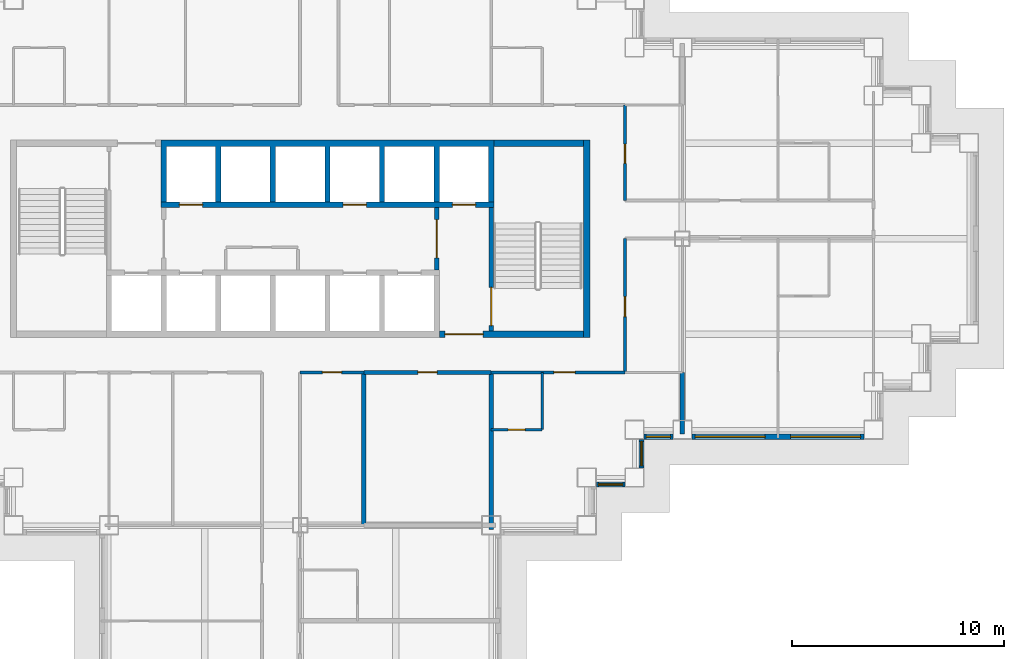
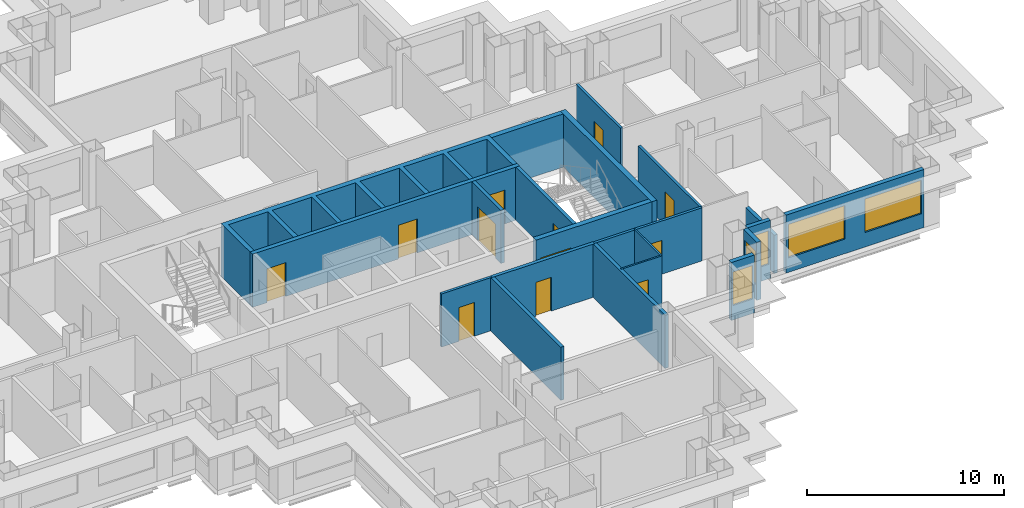
# One storey, part 6 of 15: 21 walls, 12 doors, 5 windows, 17 openings.
"""IFC4 building model written with IfcOpenShell, lengths in metres."""

from ifc_helpers import new_model, si_unit, direction, frame, frame_2d, origin, place, context, subcontext, project, spatial, polyline, rectangle, outline, extrude, material, layer, layer_set, type_object, element, fill, save


model = new_model("IFC4")

# Units and contexts
model_context = context("Model", 3, precision=1e-05, world=origin(), true_north=direction((0.0, 1.0)))
body_context = subcontext(model_context, "Body", "Model", "MODEL_VIEW")
ifc_project = project(units=[si_unit("LENGTHUNIT", "METRE"), si_unit("AREAUNIT", "SQUARE_METRE"), si_unit("VOLUMEUNIT", "CUBIC_METRE"), si_unit("PLANEANGLEUNIT", "RADIAN"), si_unit("MASSUNIT", "GRAM", prefix="KILO")], contexts=[model_context])

# Site, building, storey
site_placement = place(None, origin())
site = spatial("IfcSite", under=ifc_project, at=site_placement, CompositionType="ELEMENT")
building_placement = place(site_placement, origin())
building = spatial("IfcBuilding", under=site, at=building_placement, Name="Caravel Reach Hotel and Residences", CompositionType="ELEMENT")
storey_placement = place(building_placement, frame((0.0, 0.0, 108.0)))
storey = spatial("IfcBuildingStorey", under=building, at=storey_placement, Name="L26", CompositionType="ELEMENT", Elevation=108.0)

# Wall, opening, door
ifc_material_1 = material(Name="Gypsum board on steel stud", Category="steel")
ifc_layer_1 = layer(ifc_material_1, 0.10009765625)
ifc_layer_set_1 = layer_set([ifc_layer_1], Name="Bathroom pod wall 100 mm")
wall_type_1 = type_object("IfcWallType", Name="Bathroom pod wall 100 mm", PredefinedType="PARTITIONING", material=ifc_layer_set_1)
wall_1_placement = place(storey_placement, frame((40.5, 18.0, 0.0), z_axis=(0.0, 0.0, 1.0), x_axis=(1.0, 0.0, 0.0)))
wall_1 = element("IfcWall", 1, at=wall_1_placement, inside=storey, type_object=wall_type_1, Name="L26 wall w084", PredefinedType="PARTITIONING", context=body_context, shape_type="SweptSolid", body=[
    extrude(rectangle(XDim=2.39990234375, YDim=0.10009765625, at=frame_2d((1.199951171875, 0.0))), origin(), (0.0, 0.0, 1.0), 3.300048828125),
])
opening_1_placement = place(wall_1_placement, frame((0.800048828125, 0.0, 0.0)))
opening_1 = element("IfcOpeningElement", 2, at=opening_1_placement, cuts=wall_1, Name="Opening D26-052", PredefinedType="OPENING", context=body_context, shape_type="SweptSolid", body=[
    extrude(rectangle(XDim=0.800048828125, YDim=2.10009765625, at=frame_2d((0.39990234375, 1.050048828125))), frame((0.0, 0.06005859375, 0.0), z_axis=(0.0, -1.0, 0.0), x_axis=(1.0, 0.0, 0.0)), (0.0, 0.0, 1.0), 0.1201171875),
])
ifc_material_2 = material(Name="Timber and steel door leaf", Category="steel")
door_type_1 = type_object("IfcDoorType", Name="Bathroom door 800 x 2100", OperationType="SINGLE_SWING_LEFT", PredefinedType="DOOR", material=ifc_material_2)
door_1_placement = place(opening_1_placement, origin())
door_1 = element("IfcDoor", 3, at=door_1_placement, inside=storey, type_object=door_type_1, Name="door D26-052", OperationType="SINGLE_SWING_LEFT", OverallHeight=2.10009765625, OverallWidth=0.800048828125, PredefinedType="DOOR", context=body_context, shape_type="SweptSolid", body=[
    extrude(rectangle(XDim=0.800048828125, YDim=2.10009765625, at=frame_2d((0.39990234375, 1.050048828125))), frame((0.0, 0.02490234375, 0.0), z_axis=(0.0, -1.0, 0.0), x_axis=(1.0, 0.0, 0.0)), (0.0, 0.0, 1.0), 0.050048828125),
])
fill(opening_1, door_1)

# Wall
wall_2_placement = place(storey_placement, frame((42.89990234375, 18.0, 0.0), z_axis=(0.0, 0.0, 1.0), x_axis=(0.0, 1.0, 0.0)))
element("IfcWall", 4, at=wall_2_placement, inside=storey, type_object=wall_type_1, Name="L26 wall w112", PredefinedType="PARTITIONING", context=body_context, shape_type="SweptSolid", body=[
    extrude(rectangle(XDim=2.699951171875, YDim=0.10009765625, at=frame_2d((1.35009765625, 0.0))), origin(), (0.0, 0.0, 1.0), 3.300048828125),
])

# Wall, opening, door
ifc_material_3 = material(Name="Autoclaved aerated block wall")
ifc_layer_2 = layer(ifc_material_3, 0.199951171875)
ifc_layer_set_2 = layer_set([ifc_layer_2], Name="Compartment wall 200 mm EI 120")
wall_type_2 = type_object("IfcWallType", Name="Compartment wall 200 mm EI 120", PredefinedType="PARTITIONING", material=ifc_layer_set_2)
wall_3_placement = place(storey_placement, frame((34.5, 20.699951171875, 0.0), z_axis=(0.0, 0.0, 1.0), x_axis=(1.0, 0.0, 0.0)))
wall_3 = element("IfcWall", 5, at=wall_3_placement, inside=storey, type_object=wall_type_2, Name="L26 wall w118", PredefinedType="PARTITIONING", context=body_context, shape_type="SweptSolid", body=[
    extrude(rectangle(XDim=6.0, YDim=0.199951171875, at=frame_2d((3.0, 0.0))), origin(), (0.0, 0.0, 1.0), 3.300048828125),
])
opening_2_placement = place(wall_3_placement, frame((2.550048828125, 0.0, 0.0)))
opening_2 = element("IfcOpeningElement", 6, at=opening_2_placement, cuts=wall_3, Name="Opening D26-060", PredefinedType="OPENING", context=body_context, shape_type="SweptSolid", body=[
    extrude(rectangle(XDim=0.89990234375, YDim=2.10009765625, at=frame_2d((0.449951171875, 1.050048828125))), frame((0.0, 0.10986328125, 0.0), z_axis=(0.0, -1.0, 0.0), x_axis=(1.0, 0.0, 0.0)), (0.0, 0.0, 1.0), 0.219970703125),
])
ifc_material_4 = material(Name="Steel fire door leaf", Category="steel")
door_type_2 = type_object("IfcDoorType", Name="Riser door 900 x 2100 EI 60", OperationType="SINGLE_SWING_LEFT", PredefinedType="DOOR", material=ifc_material_4)
door_2_placement = place(opening_2_placement, origin())
door_2 = element("IfcDoor", 7, at=door_2_placement, inside=storey, type_object=door_type_2, Name="door D26-060", OperationType="SINGLE_SWING_LEFT", OverallHeight=2.10009765625, OverallWidth=0.89990234375, PredefinedType="DOOR", context=body_context, shape_type="SweptSolid", body=[
    extrude(rectangle(XDim=0.89990234375, YDim=2.10009765625, at=frame_2d((0.449951171875, 1.050048828125))), frame((0.0, 0.02490234375, 0.0), z_axis=(0.0, -1.0, 0.0), x_axis=(1.0, 0.0, 0.0)), (0.0, 0.0, 1.0), 0.050048828125),
])
fill(opening_2, door_2)

# Walls
wall_4_placement = place(storey_placement, frame((34.5, 13.5, 0.0), z_axis=(0.0, 0.0, 1.0), x_axis=(0.0, 1.0, 0.0)))
element("IfcWall", 8, at=wall_4_placement, inside=storey, type_object=wall_type_2, Name="L26 wall w119", PredefinedType="PARTITIONING", context=body_context, shape_type="SweptSolid", body=[
    extrude(rectangle(XDim=7.199951171875, YDim=0.199951171875, at=frame_2d((3.60009765625, 0.0))), origin(), (0.0, 0.0, 1.0), 3.300048828125),
])
wall_5_placement = place(storey_placement, frame((40.5, 13.31005859375, 0.0), z_axis=(0.0, 0.0, 1.0), x_axis=(0.0, 1.0, 0.0)))
element("IfcWall", 9, at=wall_5_placement, inside=storey, type_object=wall_type_2, Name="L26 wall w120", PredefinedType="PARTITIONING", context=body_context, shape_type="SweptSolid", body=[
    extrude(rectangle(XDim=7.389892578125, YDim=0.199951171875, at=frame_2d((3.69482421875, 0.0))), origin(), (0.0, 0.0, 1.0), 3.300048828125),
])

# Wall, opening, door
ifc_material_5 = material(Name="Concrete C60", Category="concrete")
ifc_layer_3 = layer(ifc_material_5, 0.300048828125)
ifc_layer_set_3 = layer_set([ifc_layer_3], Name="Core wall 300 mm EI 120")
wall_type_3 = type_object("IfcWallType", Name="Core wall 300 mm EI 120", PredefinedType="SHEAR", material=ifc_layer_set_3)
wall_6_placement = place(storey_placement, frame((38.053466796875, 22.5, 0.0), z_axis=(0.0, 0.0, 1.0), x_axis=(1.0, 0.0, 0.0)))
wall_6 = element("IfcWall", 10, at=wall_6_placement, inside=storey, type_object=wall_type_3, Name="L26 core wall S2", PredefinedType="SHEAR", context=body_context, shape_type="SweptSolid", body=[
    extrude(rectangle(XDim=6.796630859375, YDim=0.300048828125, at=frame_2d((3.3984375, 0.0))), origin(), (0.0, 0.0, 1.0), 3.300048828125),
])
opening_3_placement = place(wall_6_placement, frame((0.2607421875, 0.0, 0.0)))
opening_3 = element("IfcOpeningElement", 11, at=opening_3_placement, cuts=wall_6, Name="Opening D26-014", PredefinedType="OPENING", context=body_context, shape_type="SweptSolid", body=[
    extrude(rectangle(XDim=1.800048828125, YDim=2.10009765625, at=frame_2d((0.89990234375, 1.050048828125))), frame((0.0, 0.159912109375, 0.0), z_axis=(0.0, -1.0, 0.0), x_axis=(1.0, 0.0, 0.0)), (0.0, 0.0, 1.0), 0.320068359375),
])
ifc_material_6 = material(Name="Steel fire door leaf", Category="steel")
door_type_3 = type_object("IfcDoorType", Name="Fire lobby door pair 1800 x 2100 EI 90", OperationType="DOUBLE_DOOR_SINGLE_SWING", PredefinedType="DOOR", material=ifc_material_6)
door_3_placement = place(opening_3_placement, origin())
door_3 = element("IfcDoor", 12, at=door_3_placement, inside=storey, type_object=door_type_3, Name="lobby S door pair to corridor", OperationType="DOUBLE_DOOR_SINGLE_SWING", OverallHeight=2.10009765625, OverallWidth=1.800048828125, PredefinedType="DOOR", context=body_context, shape_type="SweptSolid", body=[
    extrude(rectangle(XDim=1.800048828125, YDim=2.10009765625, at=frame_2d((0.89990234375, 1.050048828125))), frame((0.0, 0.02490234375, 0.0), z_axis=(0.0, -1.0, 0.0), x_axis=(1.0, 0.0, 0.0)), (0.0, 0.0, 1.0), 0.050048828125),
])
fill(opening_3, door_3)

# Walls
wall_7_placement = place(storey_placement, frame((40.625, 31.5, 0.0), z_axis=(0.0, 0.0, 1.0), x_axis=(1.0, 0.0, 0.0)))
element("IfcWall", 13, at=wall_7_placement, inside=storey, type_object=wall_type_3, Name="L26 core wall N2", PredefinedType="SHEAR", context=body_context, shape_type="SweptSolid", body=[
    extrude(rectangle(XDim=4.22509765625, YDim=0.300048828125, at=frame_2d((2.112548828125, 0.0))), origin(), (0.0, 0.0, 1.0), 3.300048828125),
])
wall_8_placement = place(storey_placement, frame((45.0, 22.35009765625, 0.0), z_axis=(0.0, 0.0, 1.0), x_axis=(0.0, 1.0, 0.0)))
element("IfcWall", 14, at=wall_8_placement, inside=storey, type_object=wall_type_3, Name="L26 core wall E", PredefinedType="SHEAR", context=body_context, shape_type="SweptSolid", body=[
    extrude(rectangle(XDim=9.2998046875, YDim=0.300048828125, at=frame_2d((4.64990234375, 0.0))), origin(), (0.0, 0.0, 1.0), 3.300048828125),
])

# Wall, opening, door
ifc_material_7 = material(Name="Gypsum board on steel stud, fire-rated", Category="steel")
ifc_layer_4 = layer(ifc_material_7, 0.14990234375)
ifc_layer_set_4 = layer_set([ifc_layer_4], Name="Corridor wall 150 mm EI 60")
wall_type_4 = type_object("IfcWallType", Name="Corridor wall 150 mm EI 60", PredefinedType="PARTITIONING", material=ifc_layer_set_4)
wall_9_placement = place(storey_placement, frame((40.5, 20.699951171875, 0.0), z_axis=(0.0, 0.0, 1.0), x_axis=(1.0, 0.0, 0.0)))
wall_9 = element("IfcWall", 15, at=wall_9_placement, inside=storey, type_object=wall_type_4, Name="L26 wall w002", PredefinedType="PARTITIONING", context=body_context, shape_type="SweptSolid", body=[
    extrude(rectangle(XDim=6.300048828125, YDim=0.14990234375, at=frame_2d((3.14990234375, 0.0))), origin(), (0.0, 0.0, 1.0), 3.300048828125),
])
opening_4_placement = place(wall_9_placement, frame((2.949951171875, 0.0, 0.0)))
opening_4 = element("IfcOpeningElement", 16, at=opening_4_placement, cuts=wall_9, Name="Opening D26-051", PredefinedType="OPENING", context=body_context, shape_type="SweptSolid", body=[
    extrude(rectangle(XDim=1.0, YDim=2.10009765625, at=frame_2d((0.5, 1.050048828125))), frame((0.0, 0.0849609375, 0.0), z_axis=(0.0, -1.0, 0.0), x_axis=(1.0, 0.0, 0.0)), (0.0, 0.0, 1.0), 0.169921875),
])
ifc_material_8 = material(Name="Steel fire door leaf", Category="steel")
door_type_4 = type_object("IfcDoorType", Name="Guest room door 1000 x 2100 EI 30", OperationType="SINGLE_SWING_LEFT", PredefinedType="DOOR", material=ifc_material_8)
door_4_placement = place(opening_4_placement, origin())
door_4 = element("IfcDoor", 17, at=door_4_placement, inside=storey, type_object=door_type_4, Name="door D26-051", OperationType="SINGLE_SWING_RIGHT", OverallHeight=2.10009765625, OverallWidth=1.0, PredefinedType="DOOR", context=body_context, shape_type="SweptSolid", body=[
    extrude(rectangle(XDim=1.0, YDim=2.10009765625, at=frame_2d((0.5, 1.050048828125))), frame((0.0, 0.02490234375, 0.0), z_axis=(0.0, -1.0, 0.0), x_axis=(1.0, 0.0, 0.0)), (0.0, 0.0, 1.0), 0.050048828125),
])
fill(opening_4, door_4)

wall_10_placement = place(storey_placement, frame((31.5, 20.699951171875, 0.0), z_axis=(0.0, 0.0, 1.0), x_axis=(1.0, 0.0, 0.0)))
wall_10 = element("IfcWall", 18, at=wall_10_placement, inside=storey, type_object=wall_type_4, Name="L26 wall w005", PredefinedType="PARTITIONING", context=body_context, shape_type="SweptSolid", body=[
    extrude(rectangle(XDim=3.0, YDim=0.14990234375, at=frame_2d((1.5, 0.0))), origin(), (0.0, 0.0, 1.0), 3.300048828125),
])
opening_5_placement = place(wall_10_placement, frame((1.050048828125, 0.0, 0.0)))
opening_5 = element("IfcOpeningElement", 19, at=opening_5_placement, cuts=wall_10, Name="Opening D26-059", PredefinedType="OPENING", context=body_context, shape_type="SweptSolid", body=[
    extrude(rectangle(XDim=0.89990234375, YDim=2.10009765625, at=frame_2d((0.449951171875, 1.050048828125))), frame((0.0, 0.0849609375, 0.0), z_axis=(0.0, -1.0, 0.0), x_axis=(1.0, 0.0, 0.0)), (0.0, 0.0, 1.0), 0.169921875),
])
ifc_material_9 = material(Name="Timber and steel door leaf", Category="steel")
door_type_5 = type_object("IfcDoorType", Name="Door 900 x 2100 timber", OperationType="SINGLE_SWING_LEFT", PredefinedType="DOOR", material=ifc_material_9)
door_5_placement = place(opening_5_placement, origin())
door_5 = element("IfcDoor", 20, at=door_5_placement, inside=storey, type_object=door_type_5, Name="door D26-059", OperationType="SINGLE_SWING_LEFT", OverallHeight=2.10009765625, OverallWidth=0.89990234375, PredefinedType="DOOR", context=body_context, shape_type="SweptSolid", body=[
    extrude(rectangle(XDim=0.89990234375, YDim=2.10009765625, at=frame_2d((0.449951171875, 1.050048828125))), frame((0.0, 0.02490234375, 0.0), z_axis=(0.0, -1.0, 0.0), x_axis=(1.0, 0.0, 0.0)), (0.0, 0.0, 1.0), 0.050048828125),
])
fill(opening_5, door_5)

wall_11_placement = place(storey_placement, frame((46.800048828125, 28.800048828125, 0.0), z_axis=(0.0, 0.0, 1.0), x_axis=(0.0, 1.0, 0.0)))
wall_11 = element("IfcWall", 21, at=wall_11_placement, inside=storey, type_object=wall_type_4, Name="L26 wall w039", PredefinedType="PARTITIONING", context=body_context, shape_type="SweptSolid", body=[
    extrude(rectangle(XDim=4.5, YDim=0.14990234375, at=frame_2d((2.25, 0.0))), origin(), (0.0, 0.0, 1.0), 3.300048828125),
])
opening_6_placement = place(wall_11_placement, frame((1.75, 0.0, 0.0)))
opening_6 = element("IfcOpeningElement", 22, at=opening_6_placement, cuts=wall_11, Name="Opening D26-064", PredefinedType="OPENING", context=body_context, shape_type="SweptSolid", body=[
    extrude(rectangle(XDim=0.89990234375, YDim=2.10009765625, at=frame_2d((0.449951171875, 1.050048828125))), frame((0.0, 0.0849609375, 0.0), z_axis=(0.0, -1.0, 0.0), x_axis=(1.0, 0.0, 0.0)), (0.0, 0.0, 1.0), 0.169921875),
])
door_6_placement = place(opening_6_placement, origin())
door_6 = element("IfcDoor", 23, at=door_6_placement, inside=storey, type_object=door_type_5, Name="door D26-064", OperationType="SINGLE_SWING_LEFT", OverallHeight=2.10009765625, OverallWidth=0.89990234375, PredefinedType="DOOR", context=body_context, shape_type="SweptSolid", body=[
    extrude(rectangle(XDim=0.89990234375, YDim=2.10009765625, at=frame_2d((0.449951171875, 1.050048828125))), frame((0.0, 0.02490234375, 0.0), z_axis=(0.0, -1.0, 0.0), x_axis=(1.0, 0.0, 0.0)), (0.0, 0.0, 1.0), 0.050048828125),
])
fill(opening_6, door_6)

wall_12_placement = place(storey_placement, frame((46.800048828125, 20.699951171875, 0.0), z_axis=(0.0, 0.0, 1.0), x_axis=(0.0, 1.0, 0.0)))
wall_12 = element("IfcWall", 24, at=wall_12_placement, inside=storey, type_object=wall_type_4, Name="L26 wall w040", PredefinedType="PARTITIONING", context=body_context, shape_type="SweptSolid", body=[
    extrude(rectangle(XDim=6.300048828125, YDim=0.14990234375, at=frame_2d((3.14990234375, 0.0))), origin(), (0.0, 0.0, 1.0), 3.300048828125),
])
opening_7_placement = place(wall_12_placement, frame((2.625, 0.0, 0.0)))
opening_7 = element("IfcOpeningElement", 25, at=opening_7_placement, cuts=wall_12, Name="Opening D26-063", PredefinedType="OPENING", context=body_context, shape_type="SweptSolid", body=[
    extrude(rectangle(XDim=0.949951171875, YDim=2.10009765625, at=frame_2d((0.47509765625, 1.050048828125))), frame((0.0, 0.0849609375, 0.0), z_axis=(0.0, -1.0, 0.0), x_axis=(1.0, 0.0, 0.0)), (0.0, 0.0, 1.0), 0.169921875),
])
ifc_material_10 = material(Name="Timber and steel door leaf", Category="steel")
door_type_6 = type_object("IfcDoorType", Name="Accessible WC door 950 x 2100", OperationType="SINGLE_SWING_LEFT", PredefinedType="DOOR", material=ifc_material_10)
door_7_placement = place(opening_7_placement, origin())
door_7 = element("IfcDoor", 26, at=door_7_placement, inside=storey, type_object=door_type_6, Name="door D26-063", OperationType="SINGLE_SWING_LEFT", OverallHeight=2.10009765625, OverallWidth=0.949951171875, PredefinedType="DOOR", context=body_context, shape_type="SweptSolid", body=[
    extrude(rectangle(XDim=0.949951171875, YDim=2.10009765625, at=frame_2d((0.47509765625, 1.050048828125))), frame((0.0, 0.02490234375, 0.0), z_axis=(0.0, -1.0, 0.0), x_axis=(1.0, 0.0, 0.0)), (0.0, 0.0, 1.0), 0.050048828125),
])
fill(opening_7, door_7)

# Wall, opening, window
ifc_material_11 = material(Name="Insulated rainscreen wall, aluminium cladding", Category="aluminium")
ifc_layer_5 = layer(ifc_material_11, 0.25)
ifc_layer_set_5 = layer_set([ifc_layer_5], Name="EW1 Tower rainscreen wall")
wall_type_5 = type_object("IfcWallType", Name="EW1 Tower rainscreen wall", PredefinedType="SOLIDWALL", material=ifc_layer_set_5)
wall_13_placement = place(storey_placement, frame((45.449951171875, 15.425048828125, 0.0), z_axis=(0.0, 0.0, 1.0), x_axis=(1.0, 0.0, 0.0)))
wall_13 = element("IfcWall", 27, at=wall_13_placement, inside=storey, type_object=wall_type_5, Name="External wall L26 S13.1", PredefinedType="SOLIDWALL", context=body_context, shape_type="SweptSolid", body=[
    extrude(rectangle(XDim=1.35009765625, YDim=0.25, at=frame_2d((0.675048828125, 0.0))), origin(), (0.0, 0.0, 1.0), 3.60009765625),
])
opening_8_placement = place(wall_13_placement, frame((0.10009765625, 0.0, 0.89990234375)))
opening_8 = element("IfcOpeningElement", 28, at=opening_8_placement, cuts=wall_13, Name="Opening WN8", PredefinedType="OPENING", context=body_context, shape_type="SweptSolid", body=[
    extrude(rectangle(XDim=1.14990234375, YDim=2.080078125, at=frame_2d((0.574951171875, 1.0400390625))), frame((0.0, 0.135009765625, 0.0), z_axis=(0.0, -1.0, 0.0), x_axis=(1.0, 0.0, 0.0)), (0.0, 0.0, 1.0), 0.27001953125),
])
ifc_material_12 = material(Name="Dark low-e glazing in black aluminium frame", Category="aluminium")
window_type_1 = type_object("IfcWindowType", Name="Hotel suite corner window 1150 x 2080", PartitioningType="SINGLE_PANEL", PredefinedType="WINDOW", material=ifc_material_12)
window_1_placement = place(opening_8_placement, origin())
window_1 = element("IfcWindow", 29, at=window_1_placement, inside=storey, type_object=window_type_1, Name="Window L26 S13.1.1", OverallHeight=2.080078125, OverallWidth=1.14990234375, PartitioningType="SINGLE_PANEL", PredefinedType="WINDOW", context=body_context, shape_type="SweptSolid", body=[
    extrude(rectangle(XDim=1.14990234375, YDim=2.080078125, at=frame_2d((0.574951171875, 1.0400390625))), frame((0.0, 0.030029296875, 0.0), z_axis=(0.0, -1.0, 0.0), x_axis=(1.0, 0.0, 0.0)), (0.0, 0.0, 1.0), 0.06005859375),
])
fill(opening_8, window_1)

wall_14_placement = place(storey_placement, frame((47.574951171875, 16.199951171875, 0.0), z_axis=(0.0, 0.0, 1.0), x_axis=(0.0, 1.0, 0.0)))
wall_14 = element("IfcWall", 30, at=wall_14_placement, inside=storey, type_object=wall_type_5, Name="External wall L26 E14.1", PredefinedType="SOLIDWALL", context=body_context, shape_type="SweptSolid", body=[
    extrude(rectangle(XDim=1.35009765625, YDim=0.25, at=frame_2d((0.675048828125, 0.0))), origin(), (0.0, 0.0, 1.0), 3.60009765625),
])
opening_9_placement = place(wall_14_placement, frame((0.10009765625, 0.0, 0.89990234375)))
opening_9 = element("IfcOpeningElement", 31, at=opening_9_placement, cuts=wall_14, Name="Opening WN8", PredefinedType="OPENING", context=body_context, shape_type="SweptSolid", body=[
    extrude(rectangle(XDim=1.14990234375, YDim=2.080078125, at=frame_2d((0.574951171875, 1.0400390625))), frame((0.0, 0.135009765625, 0.0), z_axis=(0.0, -1.0, 0.0), x_axis=(1.0, 0.0, 0.0)), (0.0, 0.0, 1.0), 0.27001953125),
])
window_2_placement = place(opening_9_placement, origin())
window_2 = element("IfcWindow", 32, at=window_2_placement, inside=storey, type_object=window_type_1, Name="Window L26 E14.1.1", OverallHeight=2.080078125, OverallWidth=1.14990234375, PartitioningType="SINGLE_PANEL", PredefinedType="WINDOW", context=body_context, shape_type="SweptSolid", body=[
    extrude(rectangle(XDim=1.14990234375, YDim=2.080078125, at=frame_2d((0.574951171875, 1.0400390625))), frame((0.0, 0.030029296875, 0.0), z_axis=(0.0, -1.0, 0.0), x_axis=(1.0, 0.0, 0.0)), (0.0, 0.0, 1.0), 0.06005859375),
])
fill(opening_9, window_2)

wall_15_placement = place(storey_placement, frame((47.699951171875, 17.675048828125, 0.0), z_axis=(0.0, 0.0, 1.0), x_axis=(1.0, 0.0, 0.0)))
wall_15 = element("IfcWall", 33, at=wall_15_placement, inside=storey, type_object=wall_type_5, Name="External wall L26 S15.1", PredefinedType="SOLIDWALL", context=body_context, shape_type="SweptSolid", body=[
    extrude(rectangle(XDim=1.35009765625, YDim=0.25, at=frame_2d((0.675048828125, 0.0))), origin(), (0.0, 0.0, 1.0), 3.60009765625),
])
opening_10_placement = place(wall_15_placement, frame((0.10009765625, 0.0, 0.89990234375)))
opening_10 = element("IfcOpeningElement", 34, at=opening_10_placement, cuts=wall_15, Name="Opening WN8", PredefinedType="OPENING", context=body_context, shape_type="SweptSolid", body=[
    extrude(rectangle(XDim=1.14990234375, YDim=2.080078125, at=frame_2d((0.574951171875, 1.0400390625))), frame((0.0, 0.135009765625, 0.0), z_axis=(0.0, -1.0, 0.0), x_axis=(1.0, 0.0, 0.0)), (0.0, 0.0, 1.0), 0.27001953125),
])
window_3_placement = place(opening_10_placement, origin())
window_3 = element("IfcWindow", 35, at=window_3_placement, inside=storey, type_object=window_type_1, Name="Window L26 S15.1.1", OverallHeight=2.080078125, OverallWidth=1.14990234375, PartitioningType="SINGLE_PANEL", PredefinedType="WINDOW", context=body_context, shape_type="SweptSolid", body=[
    extrude(rectangle(XDim=1.14990234375, YDim=2.080078125, at=frame_2d((0.574951171875, 1.0400390625))), frame((0.0, 0.030029296875, 0.0), z_axis=(0.0, -1.0, 0.0), x_axis=(1.0, 0.0, 0.0)), (0.0, 0.0, 1.0), 0.06005859375),
])
fill(opening_10, window_3)

# Wall, openings, windows
wall_16_placement = place(storey_placement, frame((49.949951171875, 17.675048828125, 0.0), z_axis=(0.0, 0.0, 1.0), x_axis=(1.0, 0.0, 0.0)))
wall_16 = element("IfcWall", 36, at=wall_16_placement, inside=storey, type_object=wall_type_5, Name="External wall L26 S15.2", PredefinedType="SOLIDWALL", context=body_context, shape_type="SweptSolid", body=[
    extrude(rectangle(XDim=8.10009765625, YDim=0.25, at=frame_2d((4.050048828125, 0.0))), origin(), (0.0, 0.0, 1.0), 3.60009765625),
])
opening_11_placement = place(wall_16_placement, frame((0.14990234375, 0.0, 0.89990234375)))
opening_11 = element("IfcOpeningElement", 37, at=opening_11_placement, cuts=wall_16, Name="Opening WN4", PredefinedType="OPENING", context=body_context, shape_type="SweptSolid", body=[
    extrude(rectangle(XDim=3.300048828125, YDim=2.080078125, at=frame_2d((1.64990234375, 1.0400390625))), frame((0.0, 0.135009765625, 0.0), z_axis=(0.0, -1.0, 0.0), x_axis=(1.0, 0.0, 0.0)), (0.0, 0.0, 1.0), 0.27001953125),
])
opening_12_placement = place(wall_16_placement, frame((4.64990234375, 0.0, 0.89990234375)))
opening_12 = element("IfcOpeningElement", 38, at=opening_12_placement, cuts=wall_16, Name="Opening WN4", PredefinedType="OPENING", context=body_context, shape_type="SweptSolid", body=[
    extrude(rectangle(XDim=3.300048828125, YDim=2.080078125, at=frame_2d((1.64990234375, 1.0400390625))), frame((0.0, 0.135009765625, 0.0), z_axis=(0.0, -1.0, 0.0), x_axis=(1.0, 0.0, 0.0)), (0.0, 0.0, 1.0), 0.27001953125),
])
ifc_material_13 = material(Name="Dark low-e glazing in black aluminium frame", Category="aluminium")
window_type_2 = type_object("IfcWindowType", Name="Hotel guest room window 3300 x 2080", PartitioningType="SINGLE_PANEL", PredefinedType="WINDOW", material=ifc_material_13)
window_4_placement = place(opening_11_placement, origin())
window_4 = element("IfcWindow", 39, at=window_4_placement, inside=storey, type_object=window_type_2, Name="Window L26 S15.2.1", OverallHeight=2.080078125, OverallWidth=3.300048828125, PartitioningType="SINGLE_PANEL", PredefinedType="WINDOW", context=body_context, shape_type="SweptSolid", body=[
    extrude(rectangle(XDim=3.300048828125, YDim=2.080078125, at=frame_2d((1.64990234375, 1.0400390625))), frame((0.0, 0.030029296875, 0.0), z_axis=(0.0, -1.0, 0.0), x_axis=(1.0, 0.0, 0.0)), (0.0, 0.0, 1.0), 0.06005859375),
])
fill(opening_11, window_4)
window_5_placement = place(opening_12_placement, origin())
window_5 = element("IfcWindow", 40, at=window_5_placement, inside=storey, type_object=window_type_2, Name="Window L26 S15.2.2", OverallHeight=2.080078125, OverallWidth=3.300048828125, PartitioningType="SINGLE_PANEL", PredefinedType="WINDOW", context=body_context, shape_type="SweptSolid", body=[
    extrude(rectangle(XDim=3.300048828125, YDim=2.080078125, at=frame_2d((1.64990234375, 1.0400390625))), frame((0.0, 0.030029296875, 0.0), z_axis=(0.0, -1.0, 0.0), x_axis=(1.0, 0.0, 0.0)), (0.0, 0.0, 1.0), 0.06005859375),
])
fill(opening_12, window_5)

# Wall, opening, door
ifc_material_14 = material(Name="Autoclaved aerated block wall")
ifc_layer_6 = layer(ifc_material_14, 0.199951171875)
ifc_layer_set_6 = layer_set([ifc_layer_6], Name="Fire lobby wall 200 mm EI 120")
wall_type_6 = type_object("IfcWallType", Name="Fire lobby wall 200 mm EI 120", PredefinedType="PARTITIONING", material=ifc_layer_set_6)
wall_17_placement = place(storey_placement, frame((37.928466796875, 25.52490234375, 0.0), z_axis=(0.0, 0.0, 1.0), x_axis=(0.0, 1.0, 0.0)))
wall_17 = element("IfcWall", 41, at=wall_17_placement, inside=storey, type_object=wall_type_6, Name="L26 lobby E wall", PredefinedType="PARTITIONING", context=body_context, shape_type="SweptSolid", body=[
    extrude(rectangle(XDim=2.9501953125, YDim=0.199951171875, at=frame_2d((1.47509765625, 0.0))), origin(), (0.0, 0.0, 1.0), 3.300048828125),
])
opening_13_placement = place(wall_17_placement, frame((0.574951171875, 0.0, 0.0)))
opening_13 = element("IfcOpeningElement", 42, at=opening_13_placement, cuts=wall_17, Name="Opening D26-012", PredefinedType="OPENING", context=body_context, shape_type="SweptSolid", body=[
    extrude(rectangle(XDim=1.800048828125, YDim=2.10009765625, at=frame_2d((0.89990234375, 1.050048828125))), frame((0.0, 0.10986328125, 0.0), z_axis=(0.0, -1.0, 0.0), x_axis=(1.0, 0.0, 0.0)), (0.0, 0.0, 1.0), 0.219970703125),
])
door_8_placement = place(opening_13_placement, origin())
door_8 = element("IfcDoor", 43, at=door_8_placement, inside=storey, type_object=door_type_3, Name="lobby E door pair", OperationType="DOUBLE_DOOR_SINGLE_SWING", OverallHeight=2.10009765625, OverallWidth=1.800048828125, PredefinedType="DOOR", context=body_context, shape_type="SweptSolid", body=[
    extrude(rectangle(XDim=1.800048828125, YDim=2.10009765625, at=frame_2d((0.89990234375, 1.050048828125))), frame((0.0, 0.02490234375, 0.0), z_axis=(0.0, -1.0, 0.0), x_axis=(1.0, 0.0, 0.0)), (0.0, 0.0, 1.0), 0.050048828125),
])
fill(opening_13, door_8)

# Walls
ifc_material_15 = material(Name="Autoclaved aerated block wall")
ifc_layer_7 = layer(ifc_material_15, 0.199951171875)
ifc_layer_set_7 = layer_set([ifc_layer_7], Name="Party wall 200 mm EI 60")
wall_type_7 = type_object("IfcWallType", Name="Party wall 200 mm EI 60", PredefinedType="PARTITIONING", material=ifc_layer_set_7)
wall_18_placement = place(storey_placement, frame((49.5, 17.81005859375, 0.0), z_axis=(0.0, 0.0, 1.0), x_axis=(0.0, 1.0, 0.0)))
element("IfcWall", 44, at=wall_18_placement, inside=storey, type_object=wall_type_7, Name="L26 wall w079", PredefinedType="PARTITIONING", context=body_context, shape_type="SweptSolid", body=[
    extrude(rectangle(XDim=2.889892578125, YDim=0.199951171875, at=frame_2d((1.44482421875, 0.0))), origin(), (0.0, 0.0, 1.0), 2.3798828125),
])
ifc_material_16 = material(Name="Concrete C60", Category="concrete")
ifc_layer_8 = layer(ifc_material_16, 0.25)
ifc_layer_set_8 = layer_set([ifc_layer_8], Name="Shaft wall 250 mm EI 120")
wall_type_8 = type_object("IfcWallType", Name="Shaft wall 250 mm EI 120", PredefinedType="SHEAR", material=ifc_layer_set_8)
wall_19_placement = place(storey_placement, origin())
element("IfcWall", 45, at=wall_19_placement, inside=storey, type_object=wall_type_8, Name="L26 lift shaft wall N1", PredefinedType="SHEAR", context=body_context, shape_type="SweptSolid", body=[
    extrude(outline(polyline([(24.946533203125, 28.72509765625), (25.196533203125, 28.72509765625), (25.196533203125, 31.35009765625), (27.517822265625, 31.35009765625), (27.517822265625, 28.72509765625), (27.767822265625, 28.72509765625), (27.767822265625, 31.35009765625), (30.08935546875, 31.35009765625), (30.08935546875, 28.72509765625), (30.33935546875, 28.72509765625), (30.33935546875, 31.35009765625), (32.66064453125, 31.35009765625), (32.66064453125, 28.72509765625), (32.91064453125, 28.72509765625), (32.91064453125, 31.35009765625), (35.232177734375, 31.35009765625), (35.232177734375, 28.72509765625), (35.482177734375, 28.72509765625), (35.482177734375, 31.35009765625), (37.803466796875, 31.35009765625), (37.803466796875, 28.72509765625), (38.053466796875, 28.72509765625), (38.053466796875, 31.35009765625), (40.375, 31.35009765625), (40.375, 28.72509765625), (40.625, 28.72509765625), (40.625, 31.64990234375), (24.946533203125, 31.64990234375), (24.946533203125, 28.72509765625)])), origin(), (0.0, 0.0, 1.0), 3.300048828125),
])

# Wall, openings, doors
wall_20_placement = place(storey_placement, frame((24.946533203125, 28.60009765625, 0.0), z_axis=(0.0, 0.0, 1.0), x_axis=(1.0, 0.0, 0.0)))
wall_20 = element("IfcWall", 46, at=wall_20_placement, inside=storey, type_object=wall_type_8, Name="L26 lobby wall N1", PredefinedType="SHEAR", context=body_context, shape_type="SweptSolid", body=[
    extrude(rectangle(XDim=15.678466796875, YDim=0.25, at=frame_2d((7.83935546875, 0.0))), origin(), (0.0, 0.0, 1.0), 3.300048828125),
])
opening_14_placement = place(wall_20_placement, frame((0.860595703125, 0.0, 0.0)))
opening_14 = element("IfcOpeningElement", 47, at=opening_14_placement, cuts=wall_20, Name="Opening D26-004", PredefinedType="OPENING", context=body_context, shape_type="SweptSolid", body=[
    extrude(rectangle(XDim=1.10009765625, YDim=2.10009765625, at=frame_2d((0.550048828125, 1.050048828125))), frame((0.0, 0.135009765625, 0.0), z_axis=(0.0, -1.0, 0.0), x_axis=(1.0, 0.0, 0.0)), (0.0, 0.0, 1.0), 0.27001953125),
])
opening_15_placement = place(wall_20_placement, frame((8.574951171875, 0.0, 0.0)))
opening_15 = element("IfcOpeningElement", 48, at=opening_15_placement, cuts=wall_20, Name="Opening D26-005", PredefinedType="OPENING", context=body_context, shape_type="SweptSolid", body=[
    extrude(rectangle(XDim=1.10009765625, YDim=2.10009765625, at=frame_2d((0.550048828125, 1.050048828125))), frame((0.0, 0.135009765625, 0.0), z_axis=(0.0, -1.0, 0.0), x_axis=(1.0, 0.0, 0.0)), (0.0, 0.0, 1.0), 0.27001953125),
])
opening_16_placement = place(wall_20_placement, frame((13.718017578125, 0.0, 0.0)))
opening_16 = element("IfcOpeningElement", 49, at=opening_16_placement, cuts=wall_20, Name="Opening D26-007", PredefinedType="OPENING", context=body_context, shape_type="SweptSolid", body=[
    extrude(rectangle(XDim=1.10009765625, YDim=2.10009765625, at=frame_2d((0.550048828125, 1.050048828125))), frame((0.0, 0.135009765625, 0.0), z_axis=(0.0, -1.0, 0.0), x_axis=(1.0, 0.0, 0.0)), (0.0, 0.0, 1.0), 0.27001953125),
])
ifc_material_17 = material(Name="Stainless steel landing door", Category="steel")
door_type_7 = type_object("IfcDoorType", Name="Landing door LD 1100 x 2100 sliding", OperationType="DOUBLE_DOOR_SLIDING", PredefinedType="DOOR", material=ifc_material_17)
door_9_placement = place(opening_14_placement, origin())
door_9 = element("IfcDoor", 50, at=door_9_placement, inside=storey, type_object=door_type_7, Name="LP4 landing door", OperationType="DOUBLE_DOOR_SLIDING", OverallHeight=2.10009765625, OverallWidth=1.10009765625, PredefinedType="DOOR", context=body_context, shape_type="SweptSolid", body=[
    extrude(rectangle(XDim=1.10009765625, YDim=2.10009765625, at=frame_2d((0.550048828125, 1.050048828125))), frame((0.0, 0.02490234375, 0.0), z_axis=(0.0, -1.0, 0.0), x_axis=(1.0, 0.0, 0.0)), (0.0, 0.0, 1.0), 0.050048828125),
])
fill(opening_14, door_9)
door_10_placement = place(opening_15_placement, origin())
door_10 = element("IfcDoor", 51, at=door_10_placement, inside=storey, type_object=door_type_7, Name="LP5 landing door", OperationType="DOUBLE_DOOR_SLIDING", OverallHeight=2.10009765625, OverallWidth=1.10009765625, PredefinedType="DOOR", context=body_context, shape_type="SweptSolid", body=[
    extrude(rectangle(XDim=1.10009765625, YDim=2.10009765625, at=frame_2d((0.550048828125, 1.050048828125))), frame((0.0, 0.02490234375, 0.0), z_axis=(0.0, -1.0, 0.0), x_axis=(1.0, 0.0, 0.0)), (0.0, 0.0, 1.0), 0.050048828125),
])
fill(opening_15, door_10)
door_11_placement = place(opening_16_placement, origin())
door_11 = element("IfcDoor", 52, at=door_11_placement, inside=storey, type_object=door_type_7, Name="FL2 landing door", OperationType="DOUBLE_DOOR_SLIDING", OverallHeight=2.10009765625, OverallWidth=1.10009765625, PredefinedType="DOOR", context=body_context, shape_type="SweptSolid", body=[
    extrude(rectangle(XDim=1.10009765625, YDim=2.10009765625, at=frame_2d((0.550048828125, 1.050048828125))), frame((0.0, 0.02490234375, 0.0), z_axis=(0.0, -1.0, 0.0), x_axis=(1.0, 0.0, 0.0)), (0.0, 0.0, 1.0), 0.050048828125),
])
fill(opening_16, door_11)

# Wall, opening, door
ifc_material_18 = material(Name="Concrete C60", Category="concrete")
ifc_layer_9 = layer(ifc_material_18, 0.199951171875)
ifc_layer_set_9 = layer_set([ifc_layer_9], Name="Stair enclosure wall 200 mm EI 120")
wall_type_9 = type_object("IfcWallType", Name="Stair enclosure wall 200 mm EI 120", PredefinedType="SHEAR", material=ifc_layer_set_9)
wall_21_placement = place(storey_placement, frame((40.5, 22.64990234375, 0.0), z_axis=(0.0, 0.0, 1.0), x_axis=(0.0, 1.0, 0.0)))
wall_21 = element("IfcWall", 53, at=wall_21_placement, inside=storey, type_object=wall_type_9, Name="L26 stair B wall", PredefinedType="SHEAR", context=body_context, shape_type="SweptSolid", body=[
    extrude(rectangle(XDim=5.8251953125, YDim=0.199951171875, at=frame_2d((2.91259765625, 0.0))), origin(), (0.0, 0.0, 1.0), 3.300048828125),
])
opening_17_placement = place(wall_21_placement, frame((0.25, 0.0, 0.0)))
opening_17 = element("IfcOpeningElement", 54, at=opening_17_placement, cuts=wall_21, Name="Opening D26-010", PredefinedType="OPENING", context=body_context, shape_type="SweptSolid", body=[
    extrude(rectangle(XDim=1.800048828125, YDim=2.10009765625, at=frame_2d((0.89990234375, 1.050048828125))), frame((0.0, 0.10986328125, 0.0), z_axis=(0.0, -1.0, 0.0), x_axis=(1.0, 0.0, 0.0)), (0.0, 0.0, 1.0), 0.219970703125),
])
ifc_material_19 = material(Name="Steel fire door leaf", Category="steel")
door_type_8 = type_object("IfcDoorType", Name="Stair door pair 1800 x 2100 EI 90", OperationType="DOUBLE_DOOR_SINGLE_SWING", PredefinedType="DOOR", material=ifc_material_19)
door_12_placement = place(opening_17_placement, origin())
door_12 = element("IfcDoor", 55, at=door_12_placement, inside=storey, type_object=door_type_8, Name="stair B door pair", OperationType="DOUBLE_DOOR_SINGLE_SWING", OverallHeight=2.10009765625, OverallWidth=1.800048828125, PredefinedType="DOOR", context=body_context, shape_type="SweptSolid", body=[
    extrude(rectangle(XDim=1.800048828125, YDim=2.10009765625, at=frame_2d((0.89990234375, 1.050048828125))), frame((0.0, 0.02490234375, 0.0), z_axis=(0.0, -1.0, 0.0), x_axis=(1.0, 0.0, 0.0)), (0.0, 0.0, 1.0), 0.050048828125),
])
fill(opening_17, door_12)

save(model, "model.ifc")
